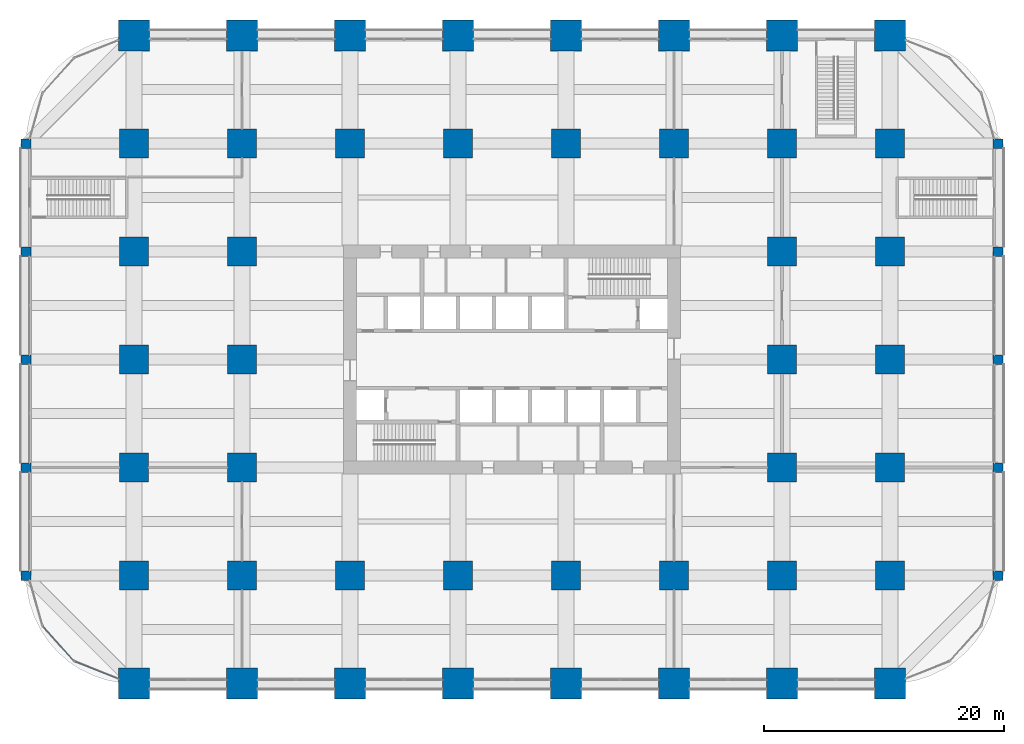
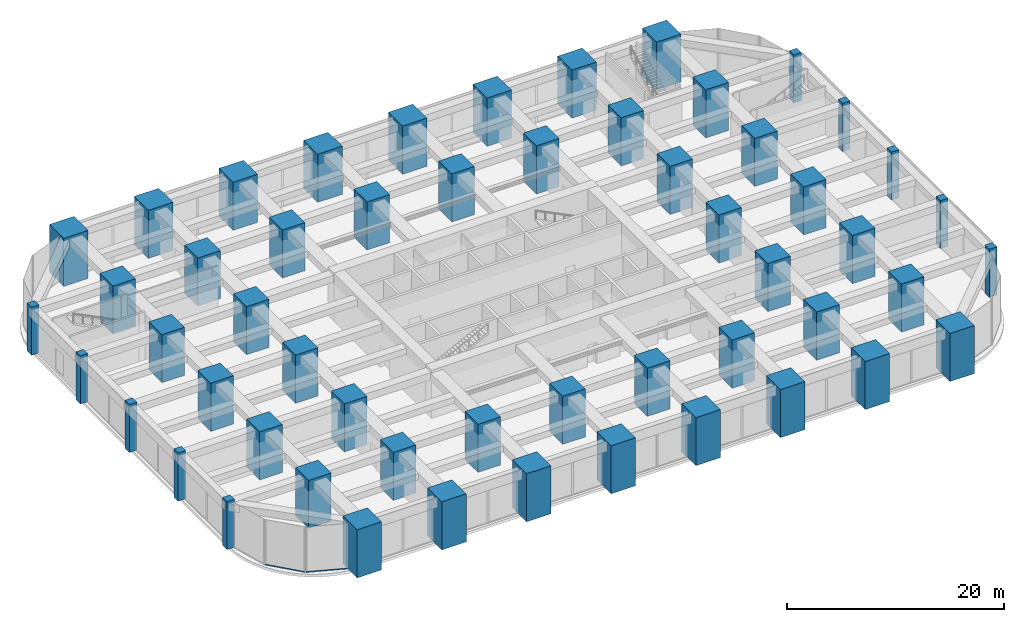
# One storey, part 1 of 45: 54 columns, 2 members, 2 elements without a shape of their own.
"""IFC4 building model written with IfcOpenShell, lengths in metres."""

from ifc_helpers import new_model, si_unit, direction, frame, origin, origin_2d, place, context, subcontext, project, spatial, rectangle, hollow_rectangle, extrude, material, material_profile, profile_set, type_object, element, aggregate, save


model = new_model("IFC4")

# Units and contexts
model_context = context("Model", 3, precision=1e-05, world=origin(), true_north=direction((0.0, 1.0)))
body_context = subcontext(model_context, "Body", "Model", "MODEL_VIEW")
ifc_project = project(units=[si_unit("LENGTHUNIT", "METRE"), si_unit("AREAUNIT", "SQUARE_METRE"), si_unit("VOLUMEUNIT", "CUBIC_METRE"), si_unit("PLANEANGLEUNIT", "RADIAN"), si_unit("MASSUNIT", "GRAM", prefix="KILO")], contexts=[model_context])

# Site, building, storey
site_placement = place(None, origin())
site = spatial("IfcSite", under=ifc_project, at=site_placement, CompositionType="ELEMENT")
building_placement = place(site_placement, origin())
building = spatial("IfcBuilding", under=site, at=building_placement, Name="Zorevar Civic Tower", CompositionType="ELEMENT")
storey_placement = place(building_placement, frame((0.0, 0.0, 5.39990234375)))
storey = spatial("IfcBuildingStorey", under=building, at=storey_placement, Name="L01", CompositionType="ELEMENT", Elevation=5.39990234375)

# Columns
ifc_material_1 = material(Name="Concrete C50/60", Category="concrete")
ifc_material_profile_1 = material_profile(ifc_material_1, rectangle(XDim=2.39990234375, YDim=2.39990234375, at=origin_2d()), Name="RC 2400x2400")
ifc_profile_set_1 = profile_set([ifc_material_profile_1], Name="Concrete C50/60")
column_type_1 = type_object("IfcColumnType", Name="Column RC 2400x2400", PredefinedType="COLUMN", material=ifc_profile_set_1)
for number, where, z_axis, x_axis, name in (
    (1, (0.0, 9.0, 0.0), (0.0, 0.0, 1.0), (1.0, 0.0, 0.0), "Column 2B L01"),
    (2, (0.0, 18.0, 0.0), (0.0, 0.0, 1.0), (1.0, 0.0, 0.0), "Column 2C L01"),
    (3, (0.0, 27.0, 0.0), (0.0, 0.0, 1.0), (1.0, 0.0, 0.0), "Column 2D L01"),
    (4, (0.0, 36.0, 0.0), (0.0, 0.0, 1.0), (1.0, 0.0, 0.0), "Column 2E L01"),
    (5, (0.0, 45.0, 0.0), (0.0, 0.0, 1.0), (1.0, 0.0, 0.0), "Column 2F L01"),
    (6, (9.0, 9.0, 0.0), (0.0, 0.0, 1.0), (1.0, 0.0, 0.0), "Column 3B L01"),
    (7, (9.0, 18.0, 0.0), (0.0, 0.0, 1.0), (1.0, 0.0, 0.0), "Column 3C L01"),
    (8, (9.0, 27.0, 0.0), (0.0, 0.0, 1.0), (1.0, 0.0, 0.0), "Column 3D L01"),
    (9, (9.0, 36.0, 0.0), (0.0, 0.0, 1.0), (1.0, 0.0, 0.0), "Column 3E L01"),
    (10, (9.0, 45.0, 0.0), (0.0, 0.0, 1.0), (1.0, 0.0, 0.0), "Column 3F L01"),
    (11, (18.0, 9.0, 0.0), (0.0, 0.0, 1.0), (1.0, 0.0, 0.0), "Column 4B L01"),
    (12, (18.0, 45.0, 0.0), (0.0, 0.0, 1.0), (1.0, 0.0, 0.0), "Column 4F L01"),
    (13, (27.0, 9.0, 0.0), (0.0, 0.0, 1.0), (1.0, 0.0, 0.0), "Column 5B L01"),
    (14, (27.0, 45.0, 0.0), (0.0, 0.0, 1.0), (1.0, 0.0, 0.0), "Column 5F L01"),
    (15, (36.0, 9.0, 0.0), (0.0, 0.0, 1.0), (1.0, 0.0, 0.0), "Column 6B L01"),
    (16, (36.0, 45.0, 0.0), (0.0, 0.0, 1.0), (1.0, 0.0, 0.0), "Column 6F L01"),
    (17, (45.0, 9.0, 0.0), (0.0, 0.0, 1.0), (1.0, 0.0, 0.0), "Column 7B L01"),
    (18, (45.0, 45.0, 0.0), (0.0, 0.0, 1.0), (1.0, 0.0, 0.0), "Column 7F L01"),
    (19, (54.0, 9.0, 0.0), (0.0, 0.0, 1.0), (1.0, 0.0, 0.0), "Column 8B L01"),
    (20, (54.0, 18.0, 0.0), (0.0, 0.0, 1.0), (1.0, 0.0, 0.0), "Column 8C L01"),
    (21, (54.0, 27.0, 0.0), (0.0, 0.0, 1.0), (1.0, 0.0, 0.0), "Column 8D L01"),
    (22, (54.0, 36.0, 0.0), (0.0, 0.0, 1.0), (1.0, 0.0, 0.0), "Column 8E L01"),
    (23, (54.0, 45.0, 0.0), (0.0, 0.0, 1.0), (1.0, 0.0, 0.0), "Column 8F L01"),
    (24, (63.0, 9.0, 0.0), (0.0, 0.0, 1.0), (1.0, 0.0, 0.0), "Column 9B L01"),
    (25, (63.0, 18.0, 0.0), (0.0, 0.0, 1.0), (1.0, 0.0, 0.0), "Column 9C L01"),
    (26, (63.0, 27.0, 0.0), (0.0, 0.0, 1.0), (1.0, 0.0, 0.0), "Column 9D L01"),
    (27, (63.0, 36.0, 0.0), (0.0, 0.0, 1.0), (1.0, 0.0, 0.0), "Column 9E L01"),
    (28, (63.0, 45.0, 0.0), (0.0, 0.0, 1.0), (1.0, 0.0, 0.0), "Column 9F L01"),
):
    element("IfcColumn", number, at=place(storey_placement, frame(where, z_axis=z_axis, x_axis=x_axis)), inside=storey, type_object=column_type_1, Name=name, PredefinedType="COLUMN", context=body_context, shape_type="SweptSolid", body=[
        extrude(rectangle(XDim=2.39990234375, YDim=2.39990234375, at=origin_2d()), origin(), (0.0, 0.0, 1.0), 5.400146484375),
    ])
ifc_material_2 = material(Name="Concrete C50/60", Category="concrete")
ifc_material_profile_2 = material_profile(ifc_material_2, rectangle(XDim=2.60009765625, YDim=2.60009765625, at=origin_2d()), Name="RC 2600x2600")
ifc_profile_set_2 = profile_set([ifc_material_profile_2], Name="Concrete C50/60")
column_type_2 = type_object("IfcColumnType", Name="Column RC 2600x2600", PredefinedType="COLUMN", material=ifc_profile_set_2)
for number, where, z_axis, x_axis, name in (
    (29, (0.0, 0.0, 0.0), (0.0, 0.0, 1.0), (1.0, 0.0, 0.0), "Column 2A L01"),
    (30, (0.0, 54.0, 0.0), (0.0, 0.0, 1.0), (1.0, 0.0, 0.0), "Column 2G L01"),
    (31, (9.0, 0.0, 0.0), (0.0, 0.0, 1.0), (1.0, 0.0, 0.0), "Column 3A L01"),
    (32, (9.0, 54.0, 0.0), (0.0, 0.0, 1.0), (1.0, 0.0, 0.0), "Column 3G L01"),
    (33, (18.0, 0.0, 0.0), (0.0, 0.0, 1.0), (1.0, 0.0, 0.0), "Column 4A L01"),
    (34, (18.0, 54.0, 0.0), (0.0, 0.0, 1.0), (1.0, 0.0, 0.0), "Column 4G L01"),
    (35, (27.0, 0.0, 0.0), (0.0, 0.0, 1.0), (1.0, 0.0, 0.0), "Column 5A L01"),
    (36, (27.0, 54.0, 0.0), (0.0, 0.0, 1.0), (1.0, 0.0, 0.0), "Column 5G L01"),
    (37, (36.0, 0.0, 0.0), (0.0, 0.0, 1.0), (1.0, 0.0, 0.0), "Column 6A L01"),
    (38, (36.0, 54.0, 0.0), (0.0, 0.0, 1.0), (1.0, 0.0, 0.0), "Column 6G L01"),
    (39, (45.0, 0.0, 0.0), (0.0, 0.0, 1.0), (1.0, 0.0, 0.0), "Column 7A L01"),
    (40, (45.0, 54.0, 0.0), (0.0, 0.0, 1.0), (1.0, 0.0, 0.0), "Column 7G L01"),
    (41, (54.0, 0.0, 0.0), (0.0, 0.0, 1.0), (1.0, 0.0, 0.0), "Column 8A L01"),
    (42, (54.0, 54.0, 0.0), (0.0, 0.0, 1.0), (1.0, 0.0, 0.0), "Column 8G L01"),
    (43, (63.0, 0.0, 0.0), (0.0, 0.0, 1.0), (1.0, 0.0, 0.0), "Column 9A L01"),
    (44, (63.0, 54.0, 0.0), (0.0, 0.0, 1.0), (1.0, 0.0, 0.0), "Column 9G L01"),
):
    element("IfcColumn", number, at=place(storey_placement, frame(where, z_axis=z_axis, x_axis=x_axis)), inside=storey, type_object=column_type_2, Name=name, PredefinedType="COLUMN", context=body_context, shape_type="SweptSolid", body=[
        extrude(rectangle(XDim=2.60009765625, YDim=2.60009765625, at=origin_2d()), origin(), (0.0, 0.0, 1.0), 5.400146484375),
    ])
ifc_material_3 = material(Name="Concrete C50/60", Category="concrete")
ifc_material_profile_3 = material_profile(ifc_material_3, rectangle(XDim=0.800048828125, YDim=0.800048828125, at=origin_2d()), Name="RC 800x800")
ifc_profile_set_3 = profile_set([ifc_material_profile_3], Name="Concrete C50/60")
column_type_3 = type_object("IfcColumnType", Name="Column RC 800x800", PredefinedType="COLUMN", material=ifc_profile_set_3)
for number, where, z_axis, x_axis, name in (
    (45, (-9.0, 9.0, 0.0), (0.0, 0.0, 1.0), (1.0, 0.0, 0.0), "Column 1B L01"),
    (46, (-9.0, 18.0, 0.0), (0.0, 0.0, 1.0), (1.0, 0.0, 0.0), "Column 1C L01"),
    (47, (-9.0, 27.0, 0.0), (0.0, 0.0, 1.0), (1.0, 0.0, 0.0), "Column 1D L01"),
    (48, (-9.0, 36.0, 0.0), (0.0, 0.0, 1.0), (1.0, 0.0, 0.0), "Column 1E L01"),
    (49, (-9.0, 45.0, 0.0), (0.0, 0.0, 1.0), (1.0, 0.0, 0.0), "Column 1F L01"),
    (50, (72.0, 9.0, 0.0), (0.0, 0.0, 1.0), (1.0, 0.0, 0.0), "Column 10B L01"),
    (51, (72.0, 18.0, 0.0), (0.0, 0.0, 1.0), (1.0, 0.0, 0.0), "Column 10C L01"),
    (52, (72.0, 27.0, 0.0), (0.0, 0.0, 1.0), (1.0, 0.0, 0.0), "Column 10D L01"),
    (53, (72.0, 36.0, 0.0), (0.0, 0.0, 1.0), (1.0, 0.0, 0.0), "Column 10E L01"),
    (54, (72.0, 45.0, 0.0), (0.0, 0.0, 1.0), (1.0, 0.0, 0.0), "Column 10F L01"),
):
    element("IfcColumn", number, at=place(storey_placement, frame(where, z_axis=z_axis, x_axis=x_axis)), inside=storey, type_object=column_type_3, Name=name, PredefinedType="COLUMN", context=body_context, shape_type="SweptSolid", body=[
        extrude(rectangle(XDim=0.800048828125, YDim=0.800048828125, at=origin_2d()), origin(), (0.0, 0.0, 1.0), 5.400146484375),
    ])

# Curtain wall, member
ifc_material_4 = material(Name="Dark grey solar-control glass in black aluminium frame", Category="aluminium")
curtain_wall_type = type_object("IfcCurtainWallType", Name="Curtain wall CW1 podium", PredefinedType="NOTDEFINED", material=ifc_material_4)
curtain_wall_1_placement = place(storey_placement, origin())
curtain_wall_1 = element("IfcCurtainWall", 55, at=curtain_wall_1_placement, inside=storey, type_object=curtain_wall_type, Name="CW1 L01", PredefinedType="NOTDEFINED")
ifc_material_5 = material(Name="Aluminium, black anodised", Category="aluminium")
ifc_material_profile_4 = material_profile(ifc_material_5, hollow_rectangle(XDim=0.06005859375, YDim=0.14990234375, WallThickness=0.00390625, at=origin_2d()), Name="AL 150x60x4")
ifc_profile_set_4 = profile_set([ifc_material_profile_4], Name="Aluminium, black anodised")
member_type = type_object("IfcMemberType", Name="CW1 transom AL 150x60x4", PredefinedType="USERDEFINED", material=ifc_profile_set_4)
member_1_placement = place(storey_placement, frame((-7.576904296875, 4.751953125, 0.030029296875), z_axis=(0.669390521788, -0.742910714245, 0.0), x_axis=(0.742910714245, 0.669390521788, 0.0)))
member_1 = element("IfcMember", 56, at=member_1_placement, type_object=member_type, Name="CW1 sill transom", ObjectType="TRANSOM", PredefinedType="USERDEFINED", context=body_context, shape_type="SweptSolid", body=[
    extrude(hollow_rectangle(XDim=0.06005859375, YDim=0.14990234375, WallThickness=0.00390625, at=origin_2d()), origin(), (0.0, 0.0, 1.0), 3.83203125),
])
aggregate(curtain_wall_1, [member_1])

curtain_wall_2_placement = place(storey_placement, origin())
curtain_wall_2 = element("IfcCurtainWall", 57, at=curtain_wall_2_placement, inside=storey, type_object=curtain_wall_type, Name="CW1 L01", PredefinedType="NOTDEFINED")
member_2_placement = place(storey_placement, frame((-4.915771484375, 1.838134765625, 0.030029296875), z_axis=(0.928998620575, -0.370083183851, 0.0), x_axis=(0.370083183851, 0.928998620575, 0.0)))
member_2 = element("IfcMember", 58, at=member_2_placement, type_object=member_type, Name="CW1 sill transom", ObjectType="TRANSOM", PredefinedType="USERDEFINED", context=body_context, shape_type="SweptSolid", body=[
    extrude(hollow_rectangle(XDim=0.06005859375, YDim=0.14990234375, WallThickness=0.00390625, at=origin_2d()), origin(), (0.0, 0.0, 1.0), 3.83203125),
])
aggregate(curtain_wall_2, [member_2])

save(model, "model.ifc")
